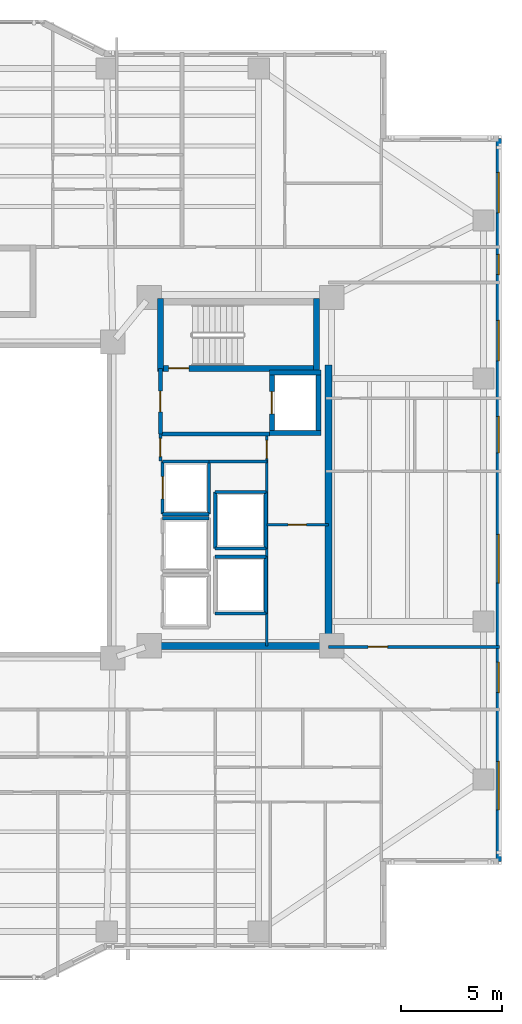
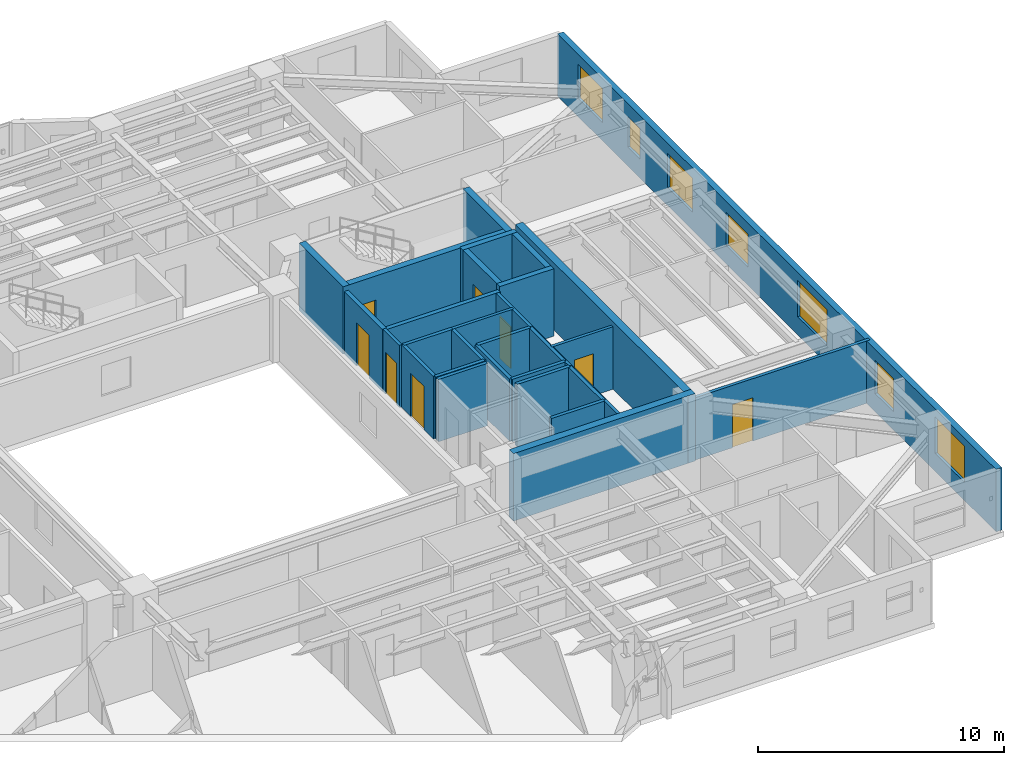
# One storey, part 9 of 19: 29 walls, 8 doors, 7 windows, 15 openings.
"""IFC4 building model written with IfcOpenShell, lengths in metres."""

from ifc_helpers import new_model, si_unit, direction, frame, frame_2d, origin, place, context, subcontext, project, spatial, rectangle, extrude, material, layer, layer_set, type_object, element, fill, save


model = new_model("IFC4")

# Units and contexts
model_context = context("Model", 3, precision=1e-05, world=origin(), true_north=direction((0.0, 1.0)))
body_context = subcontext(model_context, "Body", "Model", "MODEL_VIEW")
ifc_project = project(units=[si_unit("LENGTHUNIT", "METRE"), si_unit("AREAUNIT", "SQUARE_METRE"), si_unit("VOLUMEUNIT", "CUBIC_METRE"), si_unit("PLANEANGLEUNIT", "RADIAN"), si_unit("MASSUNIT", "GRAM", prefix="KILO")], contexts=[model_context])

# Site, building, storey
site_placement = place(None, origin())
site = spatial("IfcSite", under=ifc_project, at=site_placement, CompositionType="ELEMENT")
building_placement = place(site_placement, origin())
building = spatial("IfcBuilding", under=site, at=building_placement, Name="Tarnavaz Court Tower", CompositionType="ELEMENT")
storey_placement = place(building_placement, frame((0.0, 0.0, 111.800048828125)))
storey = spatial("IfcBuildingStorey", under=building, at=storey_placement, Name="L30", CompositionType="ELEMENT", Elevation=111.800048828125)

# Wall, opening, door
ifc_material_1 = material(Name="Concrete C60/75", Category="concrete")
ifc_layer_1 = layer(ifc_material_1, 0.25)
ifc_layer_set_1 = layer_set([ifc_layer_1], Name="Concrete C60/75")
wall_type_1 = type_object("IfcWallType", Name="WL-CORE-250-C60", PredefinedType="SHEAR", material=ifc_layer_set_1)
wall_1_placement = place(storey_placement, frame((15.64990234375, 3.175048828125, 0.0), z_axis=(0.0, 0.0, 1.0), x_axis=(0.0, 1.0, 0.0)))
wall_1 = element("IfcWall", 1, at=wall_1_placement, inside=storey, type_object=wall_type_1, Name="L30 Lift FL-E1 Shaft Wall 033", PredefinedType="SHEAR", context=body_context, shape_type="SweptSolid", body=[
    extrude(rectangle(XDim=3.25, YDim=0.25, at=frame_2d((1.625, 0.0))), origin(), (0.0, 0.0, 1.0), 3.349853515625),
])
opening_1_placement = place(wall_1_placement, frame((1.074951171875, 0.0, 0.0)))
opening_1 = element("IfcOpeningElement", 2, at=opening_1_placement, cuts=wall_1, Name="Opening LD1", PredefinedType="OPENING", context=body_context, shape_type="SweptSolid", body=[
    extrude(rectangle(XDim=1.10009765625, YDim=2.14990234375, at=frame_2d((0.550048828125, 1.074951171875))), frame((0.0, 0.135009765625, 0.0), z_axis=(0.0, -1.0, 0.0), x_axis=(1.0, 0.0, 0.0)), (0.0, 0.0, 1.0), 0.27001953125),
])
ifc_material_2 = material(Name="Stainless Steel", Category="steel")
door_type_1 = type_object("IfcDoorType", Name="DR-LD-1100", OperationType="NOTDEFINED", PredefinedType="DOOR", material=ifc_material_2)
door_1_placement = place(opening_1_placement, origin())
door_1 = element("IfcDoor", 3, at=door_1_placement, inside=storey, type_object=door_type_1, Name="L30 Lift Landing Door LD-FL-E1", OperationType="SLIDING_TO_LEFT", OverallHeight=2.14990234375, OverallWidth=1.10009765625, PredefinedType="DOOR", context=body_context, shape_type="SweptSolid", body=[
    extrude(rectangle(XDim=1.10009765625, YDim=2.14990234375, at=frame_2d((0.550048828125, 1.074951171875))), frame((0.0, 0.02490234375, 0.0), z_axis=(0.0, -1.0, 0.0), x_axis=(1.0, 0.0, 0.0)), (0.0, 0.0, 1.0), 0.050048828125),
])
fill(opening_1, door_1)

# Walls
wall_2_placement = place(storey_placement, frame((17.949951171875, 3.175048828125, 0.0), z_axis=(0.0, 0.0, 1.0), x_axis=(0.0, 1.0, 0.0)))
element("IfcWall", 4, at=wall_2_placement, inside=storey, type_object=wall_type_1, Name="L30 Lift FL-E1 Shaft Wall 034", PredefinedType="SHEAR", context=body_context, shape_type="SweptSolid", body=[
    extrude(rectangle(XDim=3.25, YDim=0.25, at=frame_2d((1.625, 0.0))), origin(), (0.0, 0.0, 1.0), 3.349853515625),
])
for number, where, z_axis, x_axis, name in (
    (5, (15.52490234375, 3.300048828125, 0.0), (0.0, 0.0, 1.0), (1.0, 0.0, 0.0), "L30 Lift FL-E1 Shaft Wall 035"),
    (6, (15.52490234375, 6.300048828125, 0.0), (0.0, 0.0, 1.0), (1.0, 0.0, 0.0), "L30 Lift FL-E1 Shaft Wall 036"),
):
    element("IfcWall", number, at=place(storey_placement, frame(where, z_axis=z_axis, x_axis=x_axis)), inside=storey, type_object=wall_type_1, Name=name, PredefinedType="SHEAR", context=body_context, shape_type="SweptSolid", body=[
        extrude(rectangle(XDim=2.550048828125, YDim=0.25, at=frame_2d((1.27490234375, 0.0))), origin(), (0.0, 0.0, 1.0), 3.349853515625),
    ])

# Wall, opening, door
ifc_layer_2 = layer(ifc_material_1, 0.300048828125)
ifc_layer_set_2 = layer_set([ifc_layer_2], Name="Concrete C60/75")
wall_type_2 = type_object("IfcWallType", Name="WL-CORE-300-C60", PredefinedType="SHEAR", material=ifc_layer_set_2)
wall_3_placement = place(storey_placement, frame((10.0, 6.5, 0.0), z_axis=(0.0, 0.0, 1.0), x_axis=(1.0, 0.0, 0.0)))
wall_3 = element("IfcWall", 7, at=wall_3_placement, inside=storey, type_object=wall_type_2, Name="L30 East Stair Core Wall 006", PredefinedType="SHEAR", context=body_context, shape_type="SweptSolid", body=[
    extrude(rectangle(XDim=8.0, YDim=0.300048828125, at=frame_2d((4.0, 0.0))), origin(), (0.0, 0.0, 1.0), 3.349853515625),
])
opening_2_placement = place(wall_3_placement, frame((0.550048828125, 0.0, 0.0)))
opening_2 = element("IfcOpeningElement", 8, at=opening_2_placement, cuts=wall_3, Name="Opening D01", PredefinedType="OPENING", context=body_context, shape_type="SweptSolid", body=[
    extrude(rectangle(XDim=1.0, YDim=2.14990234375, at=frame_2d((0.5, 1.074951171875))), frame((0.0, 0.159912109375, 0.0), z_axis=(0.0, -1.0, 0.0), x_axis=(1.0, 0.0, 0.0)), (0.0, 0.0, 1.0), 0.320068359375),
])
ifc_material_3 = material(Name="Fire-Rated Hardwood Timber Core", Category="wood")
door_type_2 = type_object("IfcDoorType", Name="DR-FD90-1000", OperationType="NOTDEFINED", PredefinedType="DOOR", material=ifc_material_3)
door_2_placement = place(opening_2_placement, origin())
door_2 = element("IfcDoor", 9, at=door_2_placement, inside=storey, type_object=door_type_2, Name="L30 Stair ST-E1 Exit Door", OperationType="SINGLE_SWING_RIGHT", OverallHeight=2.14990234375, OverallWidth=1.0, PredefinedType="DOOR", context=body_context, shape_type="SweptSolid", body=[
    extrude(rectangle(XDim=1.0, YDim=2.14990234375, at=frame_2d((0.5, 1.074951171875))), frame((0.0, 0.02490234375, 0.0), z_axis=(0.0, -1.0, 0.0), x_axis=(1.0, 0.0, 0.0)), (0.0, 0.0, 1.0), 0.050048828125),
])
fill(opening_2, door_2)

# Walls
for number, where, z_axis, x_axis, name in (
    (10, (10.14990234375, 6.35009765625, 0.0), (0.0, 0.0, 1.0), (0.0, 1.0, 0.0), "L30 East Stair Core Wall 007"),
    (11, (17.85009765625, 6.35009765625, 0.0), (0.0, 0.0, 1.0), (0.0, 1.0, 0.0), "L30 East Stair Core Wall 008"),
):
    element("IfcWall", number, at=place(storey_placement, frame(where, z_axis=z_axis, x_axis=x_axis)), inside=storey, type_object=wall_type_2, Name=name, PredefinedType="SHEAR", context=body_context, shape_type="SweptSolid", body=[
        extrude(rectangle(XDim=3.58984375, YDim=0.300048828125, at=frame_2d((1.794921875, 0.0))), origin(), (0.0, 0.0, 1.0), 3.349853515625),
    ])
ifc_layer_3 = layer(ifc_material_1, 0.35009765625)
ifc_layer_set_3 = layer_set([ifc_layer_3], Name="Concrete C60/75")
wall_type_3 = type_object("IfcWallType", Name="WL-CORE-350-C60", PredefinedType="SHEAR", material=ifc_layer_set_3)
wall_4_placement = place(storey_placement, frame((18.449951171875, -7.375, 0.0), z_axis=(0.0, 0.0, 1.0), x_axis=(0.0, 1.0, 0.0)))
element("IfcWall", 12, at=wall_4_placement, inside=storey, type_object=wall_type_3, Name="L30 East Core Shear Wall 059", PredefinedType="SHEAR", context=body_context, shape_type="SweptSolid", body=[
    extrude(rectangle(XDim=14.050048828125, YDim=0.35009765625, at=frame_2d((7.02490234375, 0.0))), origin(), (0.0, 0.0, 1.0), 3.349853515625),
])
wall_5_placement = place(storey_placement, frame((10.074951171875, -7.199951171875, 0.0), z_axis=(0.0, 0.0, 1.0), x_axis=(1.0, 0.0, 0.0)))
element("IfcWall", 13, at=wall_5_placement, inside=storey, type_object=wall_type_3, Name="L30 East Core South Shear Wall 060", PredefinedType="SHEAR", context=body_context, shape_type="SweptSolid", body=[
    extrude(rectangle(XDim=8.550048828125, YDim=0.35009765625, at=frame_2d((4.27490234375, 0.0))), origin(), (0.0, 0.0, 1.0), 3.349853515625),
])

# Wall, openings, windows
ifc_material_4 = material(Name="Precast Concrete C40/50", Category="concrete")
ifc_layer_4 = layer(ifc_material_4, 0.280029296875)
ifc_layer_set_4 = layer_set([ifc_layer_4], Name="Precast Concrete C40/50")
wall_type_4 = type_object("IfcWallType", Name="WL-EXT-280", PredefinedType="SOLIDWALL", material=ifc_layer_set_4)
wall_6_placement = place(storey_placement, frame((26.85009765625, 17.85009765625, 0.0), z_axis=(0.0, 0.0, 1.0), x_axis=(0.0, -1.0, 0.0)))
wall_6 = element("IfcWall", 14, at=wall_6_placement, inside=storey, type_object=wall_type_4, Name="L30 Exterior Terracotta Facade Wall 12", PredefinedType="SOLIDWALL", context=body_context, shape_type="SweptSolid", body=[
    extrude(rectangle(XDim=35.7001953125, YDim=0.280029296875, at=frame_2d((17.85009765625, 0.0))), origin(), (0.0, 0.0, 1.0), 3.099853515625),
])
opening_3_placement = place(wall_6_placement, frame((1.675048828125, 0.0, 0.89990234375)))
opening_3 = element("IfcOpeningElement", 15, at=opening_3_placement, cuts=wall_6, Name="Opening W08", PredefinedType="OPENING", context=body_context, shape_type="SweptSolid", body=[
    extrude(rectangle(XDim=2.0, YDim=1.699951171875, at=frame_2d((1.0, 0.85009765625))), frame((0.0, 0.14990234375, 0.0), z_axis=(0.0, -1.0, 0.0), x_axis=(1.0, 0.0, 0.0)), (0.0, 0.0, 1.0), 0.300048828125),
])
opening_4_placement = place(wall_6_placement, frame((5.72509765625, 0.0, 0.949951171875)))
opening_4 = element("IfcOpeningElement", 16, at=opening_4_placement, cuts=wall_6, Name="Opening W14", PredefinedType="OPENING", context=body_context, shape_type="SweptSolid", body=[
    extrude(rectangle(XDim=1.0, YDim=1.5, at=frame_2d((0.5, 0.75))), frame((0.0, 0.14990234375, 0.0), z_axis=(0.0, -1.0, 0.0), x_axis=(1.0, 0.0, 0.0)), (0.0, 0.0, 1.0), 0.300048828125),
])
opening_5_placement = place(wall_6_placement, frame((8.97509765625, 0.0, 0.89990234375)))
opening_5 = element("IfcOpeningElement", 17, at=opening_5_placement, cuts=wall_6, Name="Opening W08", PredefinedType="OPENING", context=body_context, shape_type="SweptSolid", body=[
    extrude(rectangle(XDim=2.0, YDim=1.699951171875, at=frame_2d((1.0, 0.85009765625))), frame((0.0, 0.14990234375, 0.0), z_axis=(0.0, -1.0, 0.0), x_axis=(1.0, 0.0, 0.0)), (0.0, 0.0, 1.0), 0.300048828125),
])
opening_6_placement = place(wall_6_placement, frame((13.72509765625, 0.0, 0.89990234375)))
opening_6 = element("IfcOpeningElement", 18, at=opening_6_placement, cuts=wall_6, Name="Opening W01", PredefinedType="OPENING", context=body_context, shape_type="SweptSolid", body=[
    extrude(rectangle(XDim=1.800048828125, YDim=1.64990234375, at=frame_2d((0.89990234375, 0.824951171875))), frame((0.0, 0.14990234375, 0.0), z_axis=(0.0, -1.0, 0.0), x_axis=(1.0, 0.0, 0.0)), (0.0, 0.0, 1.0), 0.300048828125),
])
opening_7_placement = place(wall_6_placement, frame((19.550048828125, 0.0, 0.89990234375)))
opening_7 = element("IfcOpeningElement", 19, at=opening_7_placement, cuts=wall_6, Name="Opening W06", PredefinedType="OPENING", context=body_context, shape_type="SweptSolid", body=[
    extrude(rectangle(XDim=2.39990234375, YDim=1.800048828125, at=frame_2d((1.199951171875, 0.89990234375))), frame((0.0, 0.14990234375, 0.0), z_axis=(0.0, -1.0, 0.0), x_axis=(1.0, 0.0, 0.0)), (0.0, 0.0, 1.0), 0.300048828125),
])
opening_8_placement = place(wall_6_placement, frame((25.857421875, 0.0, 0.89990234375)))
opening_8 = element("IfcOpeningElement", 20, at=opening_8_placement, cuts=wall_6, Name="Opening W03", PredefinedType="OPENING", context=body_context, shape_type="SweptSolid", body=[
    extrude(rectangle(XDim=1.5, YDim=1.64990234375, at=frame_2d((0.75, 0.824951171875))), frame((0.0, 0.14990234375, 0.0), z_axis=(0.0, -1.0, 0.0), x_axis=(1.0, 0.0, 0.0)), (0.0, 0.0, 1.0), 0.300048828125),
])
opening_9_placement = place(wall_6_placement, frame((30.75, 0.0, 0.89990234375)))
opening_9 = element("IfcOpeningElement", 21, at=opening_9_placement, cuts=wall_6, Name="Opening W06", PredefinedType="OPENING", context=body_context, shape_type="SweptSolid", body=[
    extrude(rectangle(XDim=2.39990234375, YDim=1.800048828125, at=frame_2d((1.199951171875, 0.89990234375))), frame((0.0, 0.14990234375, 0.0), z_axis=(0.0, -1.0, 0.0), x_axis=(1.0, 0.0, 0.0)), (0.0, 0.0, 1.0), 0.300048828125),
])
ifc_material_5 = material(Name="Double-Glazed Solar Low-E Glass", Category="glass")
window_type_1 = type_object("IfcWindowType", Name="WN-APT-1000", PartitioningType="SINGLE_PANEL", PredefinedType="WINDOW", material=ifc_material_5)
window_1_placement = place(opening_4_placement, origin())
window_1 = element("IfcWindow", 22, at=window_1_placement, inside=storey, type_object=window_type_1, Name="L30 North-East Corner Corridor Window", OverallHeight=1.5, OverallWidth=1.0, PartitioningType="SINGLE_PANEL", PredefinedType="WINDOW", context=body_context, shape_type="SweptSolid", body=[
    extrude(rectangle(XDim=1.0, YDim=1.5, at=frame_2d((0.5, 0.75))), frame((0.0, 0.030029296875, 0.0), z_axis=(0.0, -1.0, 0.0), x_axis=(1.0, 0.0, 0.0)), (0.0, 0.0, 1.0), 0.06005859375),
])
fill(opening_4, window_1)
window_type_2 = type_object("IfcWindowType", Name="WN-APT-1500", PartitioningType="DOUBLE_PANEL_VERTICAL", PredefinedType="WINDOW", material=ifc_material_5)
window_2_placement = place(opening_8_placement, origin())
window_2 = element("IfcWindow", 23, at=window_2_placement, inside=storey, type_object=window_type_2, Name="L30 South-East Corner Corridor Window", OverallHeight=1.64990234375, OverallWidth=1.5, PartitioningType="SINGLE_PANEL", PredefinedType="WINDOW", context=body_context, shape_type="SweptSolid", body=[
    extrude(rectangle(XDim=1.5, YDim=1.64990234375, at=frame_2d((0.75, 0.824951171875))), frame((0.0, 0.030029296875, 0.0), z_axis=(0.0, -1.0, 0.0), x_axis=(1.0, 0.0, 0.0)), (0.0, 0.0, 1.0), 0.06005859375),
])
fill(opening_8, window_2)
window_type_3 = type_object("IfcWindowType", Name="WN-APT-1800", PartitioningType="DOUBLE_PANEL_VERTICAL", PredefinedType="WINDOW", material=ifc_material_5)
window_3_placement = place(opening_6_placement, origin())
window_3 = element("IfcWindow", 24, at=window_3_placement, inside=storey, type_object=window_type_3, Name="L30 Flat 10 Bathroom Window", OverallHeight=1.64990234375, OverallWidth=1.800048828125, PartitioningType="SINGLE_PANEL", PredefinedType="WINDOW", context=body_context, shape_type="SweptSolid", body=[
    extrude(rectangle(XDim=1.800048828125, YDim=1.64990234375, at=frame_2d((0.89990234375, 0.824951171875))), frame((0.0, 0.030029296875, 0.0), z_axis=(0.0, -1.0, 0.0), x_axis=(1.0, 0.0, 0.0)), (0.0, 0.0, 1.0), 0.06005859375),
])
fill(opening_6, window_3)
window_type_4 = type_object("IfcWindowType", Name="WN-APT-2000", PartitioningType="DOUBLE_PANEL_VERTICAL", PredefinedType="WINDOW", material=ifc_material_5)
window_4_placement = place(opening_3_placement, origin())
window_4 = element("IfcWindow", 25, at=window_4_placement, inside=storey, type_object=window_type_4, Name="L30 North-East Corner Sunroom Study Window", OverallHeight=1.699951171875, OverallWidth=2.0, PartitioningType="SINGLE_PANEL", PredefinedType="WINDOW", context=body_context, shape_type="SweptSolid", body=[
    extrude(rectangle(XDim=2.0, YDim=1.699951171875, at=frame_2d((1.0, 0.85009765625))), frame((0.0, 0.030029296875, 0.0), z_axis=(0.0, -1.0, 0.0), x_axis=(1.0, 0.0, 0.0)), (0.0, 0.0, 1.0), 0.06005859375),
])
fill(opening_3, window_4)
window_5_placement = place(opening_5_placement, origin())
window_5 = element("IfcWindow", 26, at=window_5_placement, inside=storey, type_object=window_type_4, Name="L30 Flat 10 Study Room Window", OverallHeight=1.699951171875, OverallWidth=2.0, PartitioningType="SINGLE_PANEL", PredefinedType="WINDOW", context=body_context, shape_type="SweptSolid", body=[
    extrude(rectangle(XDim=2.0, YDim=1.699951171875, at=frame_2d((1.0, 0.85009765625))), frame((0.0, 0.030029296875, 0.0), z_axis=(0.0, -1.0, 0.0), x_axis=(1.0, 0.0, 0.0)), (0.0, 0.0, 1.0), 0.06005859375),
])
fill(opening_5, window_5)
window_type_5 = type_object("IfcWindowType", Name="WN-APT-2400", PartitioningType="TRIPLE_PANEL_VERTICAL", PredefinedType="WINDOW", material=ifc_material_5)
window_6_placement = place(opening_7_placement, origin())
window_6 = element("IfcWindow", 27, at=window_6_placement, inside=storey, type_object=window_type_5, Name="L30 Flat 10 Studio Living and Sleeping Room Window", OverallHeight=1.800048828125, OverallWidth=2.39990234375, PartitioningType="SINGLE_PANEL", PredefinedType="WINDOW", context=body_context, shape_type="SweptSolid", body=[
    extrude(rectangle(XDim=2.39990234375, YDim=1.800048828125, at=frame_2d((1.199951171875, 0.89990234375))), frame((0.0, 0.030029296875, 0.0), z_axis=(0.0, -1.0, 0.0), x_axis=(1.0, 0.0, 0.0)), (0.0, 0.0, 1.0), 0.06005859375),
])
fill(opening_7, window_6)
window_7_placement = place(opening_9_placement, origin())
window_7 = element("IfcWindow", 28, at=window_7_placement, inside=storey, type_object=window_type_5, Name="L30 South-East Corner Reading Room Window", OverallHeight=1.800048828125, OverallWidth=2.39990234375, PartitioningType="SINGLE_PANEL", PredefinedType="WINDOW", context=body_context, shape_type="SweptSolid", body=[
    extrude(rectangle(XDim=2.39990234375, YDim=1.800048828125, at=frame_2d((1.199951171875, 0.89990234375))), frame((0.0, 0.030029296875, 0.0), z_axis=(0.0, -1.0, 0.0), x_axis=(1.0, 0.0, 0.0)), (0.0, 0.0, 1.0), 0.06005859375),
])
fill(opening_9, window_7)

# Wall, opening, door
ifc_material_6 = material(Name="Gypsum Fire-Board on Acoustic Metal Stud", Category="masonry")
ifc_layer_5 = layer(ifc_material_6, 0.14990234375)
ifc_layer_set_5 = layer_set([ifc_layer_5], Name="Gypsum Fire-Board on Acoustic Metal Stud")
wall_type_5 = type_object("IfcWallType", Name="WL-FIRE-150", PredefinedType="PARTITIONING", material=ifc_layer_set_5)
wall_7_placement = place(storey_placement, frame((18.449951171875, -7.25, 0.0), z_axis=(0.0, 0.0, 1.0), x_axis=(1.0, 0.0, 0.0)))
wall_7 = element("IfcWall", 29, at=wall_7_placement, inside=storey, type_object=wall_type_5, Name="L30 Interior Partition 124", PredefinedType="PARTITIONING", context=body_context, shape_type="SweptSolid", body=[
    extrude(rectangle(XDim=8.429931640625, YDim=0.14990234375, at=frame_2d((4.21484375, 0.0))), origin(), (0.0, 0.0, 1.0), 3.099853515625),
])
opening_10_placement = place(wall_7_placement, frame((1.949951171875, 0.0, 0.0)))
opening_10 = element("IfcOpeningElement", 30, at=opening_10_placement, cuts=wall_7, Name="Opening D06", PredefinedType="OPENING", context=body_context, shape_type="SweptSolid", body=[
    extrude(rectangle(XDim=0.9599609375, YDim=2.14990234375, at=frame_2d((0.47998046875, 1.074951171875))), frame((0.0, 0.0849609375, 0.0), z_axis=(0.0, -1.0, 0.0), x_axis=(1.0, 0.0, 0.0)), (0.0, 0.0, 1.0), 0.169921875),
])
door_type_3 = type_object("IfcDoorType", Name="DR-FD60-950", OperationType="NOTDEFINED", PredefinedType="DOOR", material=ifc_material_3)
door_3_placement = place(opening_10_placement, origin())
door_3 = element("IfcDoor", 31, at=door_3_placement, inside=storey, type_object=door_type_3, Name="L30 Flat 10 Entrance Door", OperationType="SINGLE_SWING_LEFT", OverallHeight=2.14990234375, OverallWidth=0.9599609375, PredefinedType="DOOR", context=body_context, shape_type="SweptSolid", body=[
    extrude(rectangle(XDim=0.9599609375, YDim=2.14990234375, at=frame_2d((0.47998046875, 1.074951171875))), frame((0.0, 0.02490234375, 0.0), z_axis=(0.0, -1.0, 0.0), x_axis=(1.0, 0.0, 0.0)), (0.0, 0.0, 1.0), 0.050048828125),
])
fill(opening_10, door_3)

# Wall
ifc_material_7 = material(Name="Autoclaved Aerated Concrete Blockwork", Category="masonry")
ifc_layer_6 = layer(ifc_material_7, 0.199951171875)
ifc_layer_set_6 = layer_set([ifc_layer_6], Name="Autoclaved Aerated Concrete Blockwork")
wall_type_6 = type_object("IfcWallType", Name="WL-FIRE-200", PredefinedType="SOLIDWALL", material=ifc_layer_set_6)
wall_8_placement = place(storey_placement, frame((10.14990234375, 3.25, 0.0), z_axis=(0.0, 0.0, 1.0), x_axis=(1.0, 0.0, 0.0)))
element("IfcWall", 32, at=wall_8_placement, inside=storey, type_object=wall_type_6, Name="L30 East Firefighting Lobby Wall 015", PredefinedType="SOLIDWALL", context=body_context, shape_type="SweptSolid", body=[
    extrude(rectangle(XDim=5.400146484375, YDim=0.199951171875, at=frame_2d((2.7001953125, 0.0))), origin(), (0.0, 0.0, 1.0), 3.099853515625),
])

# Wall, opening, door
wall_9_placement = place(storey_placement, frame((10.14990234375, 3.25, 0.0), z_axis=(0.0, 0.0, 1.0), x_axis=(0.0, 1.0, 0.0)))
wall_9 = element("IfcWall", 33, at=wall_9_placement, inside=storey, type_object=wall_type_6, Name="L30 East Firefighting Lobby Wall 016", PredefinedType="SOLIDWALL", context=body_context, shape_type="SweptSolid", body=[
    extrude(rectangle(XDim=3.25, YDim=0.199951171875, at=frame_2d((1.625, 0.0))), origin(), (0.0, 0.0, 1.0), 3.099853515625),
])
opening_11_placement = place(wall_9_placement, frame((1.10009765625, 0.0, 0.0)))
opening_11 = element("IfcOpeningElement", 34, at=opening_11_placement, cuts=wall_9, Name="Opening D05", PredefinedType="OPENING", context=body_context, shape_type="SweptSolid", body=[
    extrude(rectangle(XDim=1.02001953125, YDim=2.14990234375, at=frame_2d((0.510009765625, 1.074951171875))), frame((0.0, 0.10986328125, 0.0), z_axis=(0.0, -1.0, 0.0), x_axis=(1.0, 0.0, 0.0)), (0.0, 0.0, 1.0), 0.219970703125),
])
door_type_4 = type_object("IfcDoorType", Name="DR-FD60-1000", OperationType="NOTDEFINED", PredefinedType="DOOR", material=ifc_material_3)
door_4_placement = place(opening_11_placement, origin())
door_4 = element("IfcDoor", 35, at=door_4_placement, inside=storey, type_object=door_type_4, Name="L30 East Firefighting Lobby Door", OperationType="SINGLE_SWING_LEFT", OverallHeight=2.14990234375, OverallWidth=1.02001953125, PredefinedType="DOOR", context=body_context, shape_type="SweptSolid", body=[
    extrude(rectangle(XDim=1.02001953125, YDim=2.14990234375, at=frame_2d((0.510009765625, 1.074951171875))), frame((0.0, 0.02490234375, 0.0), z_axis=(0.0, -1.0, 0.0), x_axis=(1.0, 0.0, 0.0)), (0.0, 0.0, 1.0), 0.050048828125),
])
fill(opening_11, door_4)

# Wall
ifc_material_8 = material(Name="Gypsum Plasterboard Acoustic Partition", Category="masonry")
ifc_layer_7 = layer(ifc_material_8, 0.139892578125)
ifc_layer_set_7 = layer_set([ifc_layer_7], Name="Gypsum Plasterboard Acoustic Partition")
wall_type_7 = type_object("IfcWallType", Name="WL-PART-150", PredefinedType="PARTITIONING", material=ifc_layer_set_7)
wall_10_placement = place(storey_placement, frame((12.550048828125, 1.89990234375, 0.0), z_axis=(0.0, 0.0, 1.0), x_axis=(1.0, 0.0, 0.0)))
element("IfcWall", 36, at=wall_10_placement, inside=storey, type_object=wall_type_7, Name="L30 Interior Partition 067", PredefinedType="PARTITIONING", context=body_context, shape_type="SweptSolid", body=[
    extrude(rectangle(XDim=2.849853515625, YDim=0.139892578125, at=frame_2d((1.4248046875, 0.0))), origin(), (0.0, 0.0, 1.0), 3.099853515625),
])

# Wall, opening, door
wall_11_placement = place(storey_placement, frame((10.14990234375, 1.919921875, 0.0), z_axis=(0.0, 0.0, 1.0), x_axis=(0.0, 1.0, 0.0)))
wall_11 = element("IfcWall", 37, at=wall_11_placement, inside=storey, type_object=wall_type_7, Name="L30 Interior Partition 068", PredefinedType="PARTITIONING", context=body_context, shape_type="SweptSolid", body=[
    extrude(rectangle(XDim=1.330078125, YDim=0.139892578125, at=frame_2d((0.6650390625, 0.0))), origin(), (0.0, 0.0, 1.0), 3.099853515625),
])
opening_12_placement = place(wall_11_placement, frame((0.219970703125, 0.0, 0.0)))
opening_12 = element("IfcOpeningElement", 38, at=opening_12_placement, cuts=wall_11, Name="Opening D09", PredefinedType="OPENING", context=body_context, shape_type="SweptSolid", body=[
    extrude(rectangle(XDim=0.89990234375, YDim=2.080078125, at=frame_2d((0.449951171875, 1.0400390625))), frame((0.0, 0.079833984375, 0.0), z_axis=(0.0, -1.0, 0.0), x_axis=(1.0, 0.0, 0.0)), (0.0, 0.0, 1.0), 0.159912109375),
])
door_type_5 = type_object("IfcDoorType", Name="DR-FD30-900", OperationType="NOTDEFINED", PredefinedType="DOOR", material=ifc_material_3)
door_5_placement = place(opening_12_placement, origin())
door_5 = element("IfcDoor", 39, at=door_5_placement, inside=storey, type_object=door_type_5, Name="L30 East Core Service Lobby Door", OperationType="SINGLE_SWING_RIGHT", OverallHeight=2.080078125, OverallWidth=0.89990234375, PredefinedType="DOOR", context=body_context, shape_type="SweptSolid", body=[
    extrude(rectangle(XDim=0.89990234375, YDim=2.080078125, at=frame_2d((0.449951171875, 1.0400390625))), frame((0.0, 0.02490234375, 0.0), z_axis=(0.0, -1.0, 0.0), x_axis=(1.0, 0.0, 0.0)), (0.0, 0.0, 1.0), 0.050048828125),
])
fill(opening_12, door_5)

wall_12_placement = place(storey_placement, frame((15.39990234375, -7.199951171875, 0.0), z_axis=(0.0, 0.0, 1.0), x_axis=(0.0, 1.0, 0.0)))
wall_12 = element("IfcWall", 40, at=wall_12_placement, inside=storey, type_object=wall_type_7, Name="L30 Interior Partition 069", PredefinedType="PARTITIONING", context=body_context, shape_type="SweptSolid", body=[
    extrude(rectangle(XDim=10.449951171875, YDim=0.139892578125, at=frame_2d((5.22509765625, 0.0))), origin(), (0.0, 0.0, 1.0), 3.099853515625),
])
opening_13_placement = place(wall_12_placement, frame((9.25, 0.0, 0.0)))
opening_13 = element("IfcOpeningElement", 41, at=opening_13_placement, cuts=wall_12, Name="Opening D09", PredefinedType="OPENING", context=body_context, shape_type="SweptSolid", body=[
    extrude(rectangle(XDim=0.89990234375, YDim=2.080078125, at=frame_2d((0.449951171875, 1.0400390625))), frame((0.0, 0.079833984375, 0.0), z_axis=(0.0, -1.0, 0.0), x_axis=(1.0, 0.0, 0.0)), (0.0, 0.0, 1.0), 0.159912109375),
])
door_6_placement = place(opening_13_placement, origin())
door_6 = element("IfcDoor", 42, at=door_6_placement, inside=storey, type_object=door_type_5, Name="L30 East Wet Riser Door", OperationType="SINGLE_SWING_LEFT", OverallHeight=2.080078125, OverallWidth=0.89990234375, PredefinedType="DOOR", context=body_context, shape_type="SweptSolid", body=[
    extrude(rectangle(XDim=0.89990234375, YDim=2.080078125, at=frame_2d((0.449951171875, 1.0400390625))), frame((0.0, 0.02490234375, 0.0), z_axis=(0.0, -1.0, 0.0), x_axis=(1.0, 0.0, 0.0)), (0.0, 0.0, 1.0), 0.050048828125),
])
fill(opening_13, door_6)

wall_13_placement = place(storey_placement, frame((15.39990234375, -1.219970703125, 0.0), z_axis=(0.0, 0.0, 1.0), x_axis=(1.0, 0.0, 0.0)))
wall_13 = element("IfcWall", 43, at=wall_13_placement, inside=storey, type_object=wall_type_7, Name="L30 Interior Partition 070", PredefinedType="PARTITIONING", context=body_context, shape_type="SweptSolid", body=[
    extrude(rectangle(XDim=3.050048828125, YDim=0.139892578125, at=frame_2d((1.52490234375, 0.0))), origin(), (0.0, 0.0, 1.0), 3.099853515625),
])
opening_14_placement = place(wall_13_placement, frame((1.050048828125, 0.0, 0.0)))
opening_14 = element("IfcOpeningElement", 44, at=opening_14_placement, cuts=wall_13, Name="Opening D09", PredefinedType="OPENING", context=body_context, shape_type="SweptSolid", body=[
    extrude(rectangle(XDim=0.89990234375, YDim=2.080078125, at=frame_2d((0.449951171875, 1.0400390625))), frame((0.0, 0.079833984375, 0.0), z_axis=(0.0, -1.0, 0.0), x_axis=(1.0, 0.0, 0.0)), (0.0, 0.0, 1.0), 0.159912109375),
])
door_7_placement = place(opening_14_placement, origin())
door_7 = element("IfcDoor", 45, at=door_7_placement, inside=storey, type_object=door_type_5, Name="L30 East Electrical Plant Door", OperationType="SINGLE_SWING_RIGHT", OverallHeight=2.080078125, OverallWidth=0.89990234375, PredefinedType="DOOR", context=body_context, shape_type="SweptSolid", body=[
    extrude(rectangle(XDim=0.89990234375, YDim=2.080078125, at=frame_2d((0.449951171875, 1.0400390625))), frame((0.0, 0.02490234375, 0.0), z_axis=(0.0, -1.0, 0.0), x_axis=(1.0, 0.0, 0.0)), (0.0, 0.0, 1.0), 0.050048828125),
])
fill(opening_14, door_7)

# Wall
ifc_layer_8 = layer(ifc_material_7, 0.159912109375)
ifc_layer_set_8 = layer_set([ifc_layer_8], Name="Autoclaved Aerated Concrete Blockwork")
wall_type_8 = type_object("IfcWallType", Name="WL-SHAFT-150", PredefinedType="SOLIDWALL", material=ifc_layer_set_8)
wall_14_placement = place(storey_placement, frame((10.25, -0.89990234375, 0.0), z_axis=(0.0, 0.0, 1.0), x_axis=(1.0, 0.0, 0.0)))
element("IfcWall", 46, at=wall_14_placement, inside=storey, type_object=wall_type_8, Name="L30 Lift PL-M2 Shaft Wall 044", PredefinedType="SOLIDWALL", context=body_context, shape_type="SweptSolid", body=[
    extrude(rectangle(XDim=2.300048828125, YDim=0.159912109375, at=frame_2d((1.14990234375, 0.0))), origin(), (0.0, 0.0, 1.0), 3.099853515625),
])

# Wall, opening, door
wall_15_placement = place(storey_placement, frame((10.25, -0.699951171875, 0.0), z_axis=(0.0, 0.0, 1.0), x_axis=(0.0, 1.0, 0.0)))
wall_15 = element("IfcWall", 47, at=wall_15_placement, inside=storey, type_object=wall_type_8, Name="L30 Lift PL-M3 Shaft Wall 045", PredefinedType="SOLIDWALL", context=body_context, shape_type="SweptSolid", body=[
    extrude(rectangle(XDim=2.599853515625, YDim=0.159912109375, at=frame_2d((1.2998046875, 0.0))), origin(), (0.0, 0.0, 1.0), 3.099853515625),
])
opening_15_placement = place(wall_15_placement, frame((0.75, 0.0, 0.0)))
opening_15 = element("IfcOpeningElement", 48, at=opening_15_placement, cuts=wall_15, Name="Opening LD1", PredefinedType="OPENING", context=body_context, shape_type="SweptSolid", body=[
    extrude(rectangle(XDim=1.10009765625, YDim=2.14990234375, at=frame_2d((0.550048828125, 1.074951171875))), frame((0.0, 0.08984375, 0.0), z_axis=(0.0, -1.0, 0.0), x_axis=(1.0, 0.0, 0.0)), (0.0, 0.0, 1.0), 0.179931640625),
])
door_8_placement = place(opening_15_placement, origin())
door_8 = element("IfcDoor", 49, at=door_8_placement, inside=storey, type_object=door_type_1, Name="L30 Lift Landing Door LD-PL-M3", OperationType="SLIDING_TO_LEFT", OverallHeight=2.14990234375, OverallWidth=1.10009765625, PredefinedType="DOOR", context=body_context, shape_type="SweptSolid", body=[
    extrude(rectangle(XDim=1.10009765625, YDim=2.14990234375, at=frame_2d((0.550048828125, 1.074951171875))), frame((0.0, 0.02490234375, 0.0), z_axis=(0.0, -1.0, 0.0), x_axis=(1.0, 0.0, 0.0)), (0.0, 0.0, 1.0), 0.050048828125),
])
fill(opening_15, door_8)

# Walls
wall_16_placement = place(storey_placement, frame((12.550048828125, -0.699951171875, 0.0), z_axis=(0.0, 0.0, 1.0), x_axis=(0.0, 1.0, 0.0)))
element("IfcWall", 50, at=wall_16_placement, inside=storey, type_object=wall_type_8, Name="L30 Lift PL-M3 Shaft Wall 046", PredefinedType="SOLIDWALL", context=body_context, shape_type="SweptSolid", body=[
    extrude(rectangle(XDim=2.599853515625, YDim=0.159912109375, at=frame_2d((1.2998046875, 0.0))), origin(), (0.0, 0.0, 1.0), 3.099853515625),
])
for number, where, z_axis, x_axis, name in (
    (51, (10.25, -0.699951171875, 0.0), (0.0, 0.0, 1.0), (1.0, 0.0, 0.0), "L30 Lift PL-M3 Shaft Wall 047"),
    (52, (10.25, 1.89990234375, 0.0), (0.0, 0.0, 1.0), (1.0, 0.0, 0.0), "L30 Lift PL-M3 Shaft Wall 048"),
):
    element("IfcWall", number, at=place(storey_placement, frame(where, z_axis=z_axis, x_axis=x_axis)), inside=storey, type_object=wall_type_8, Name=name, PredefinedType="SOLIDWALL", context=body_context, shape_type="SweptSolid", body=[
        extrude(rectangle(XDim=2.300048828125, YDim=0.159912109375, at=frame_2d((1.14990234375, 0.0))), origin(), (0.0, 0.0, 1.0), 3.099853515625),
    ])
wall_17_placement = place(storey_placement, frame((15.35009765625, -5.60009765625, 0.0), z_axis=(0.0, 0.0, 1.0), x_axis=(0.0, 1.0, 0.0)))
element("IfcWall", 53, at=wall_17_placement, inside=storey, type_object=wall_type_8, Name="L30 Lift PL-OB1 Shaft Wall 050", PredefinedType="SOLIDWALL", context=body_context, shape_type="SweptSolid", body=[
    extrude(rectangle(XDim=2.800048828125, YDim=0.159912109375, at=frame_2d((1.39990234375, 0.0))), origin(), (0.0, 0.0, 1.0), 3.099853515625),
])
for number, where, z_axis, x_axis, name in (
    (54, (12.85009765625, -5.60009765625, 0.0), (0.0, 0.0, 1.0), (1.0, 0.0, 0.0), "L30 Lift PL-OB1 Shaft Wall 051"),
    (55, (12.85009765625, -2.800048828125, 0.0), (0.0, 0.0, 1.0), (1.0, 0.0, 0.0), "L30 Lift PL-OB1 Shaft Wall 052"),
):
    element("IfcWall", number, at=place(storey_placement, frame(where, z_axis=z_axis, x_axis=x_axis)), inside=storey, type_object=wall_type_8, Name=name, PredefinedType="SOLIDWALL", context=body_context, shape_type="SweptSolid", body=[
        extrude(rectangle(XDim=2.5, YDim=0.159912109375, at=frame_2d((1.25, 0.0))), origin(), (0.0, 0.0, 1.0), 3.099853515625),
    ])
for number, where, z_axis, x_axis, name in (
    (56, (12.85009765625, -2.39990234375, 0.0), (0.0, 0.0, 1.0), (0.0, 1.0, 0.0), "L30 Lift PL-OB2 Shaft Wall 053"),
    (57, (15.35009765625, -2.39990234375, 0.0), (0.0, 0.0, 1.0), (0.0, 1.0, 0.0), "L30 Lift PL-OB2 Shaft Wall 054"),
):
    element("IfcWall", number, at=place(storey_placement, frame(where, z_axis=z_axis, x_axis=x_axis)), inside=storey, type_object=wall_type_8, Name=name, PredefinedType="SOLIDWALL", context=body_context, shape_type="SweptSolid", body=[
        extrude(rectangle(XDim=2.7998046875, YDim=0.159912109375, at=frame_2d((1.39990234375, 0.0))), origin(), (0.0, 0.0, 1.0), 3.099853515625),
    ])
for number, where, z_axis, x_axis, name in (
    (58, (12.85009765625, -2.39990234375, 0.0), (0.0, 0.0, 1.0), (1.0, 0.0, 0.0), "L30 Lift PL-OB2 Shaft Wall 055"),
    (59, (12.85009765625, 0.39990234375, 0.0), (0.0, 0.0, 1.0), (1.0, 0.0, 0.0), "L30 Lift PL-OB2 Shaft Wall 056"),
):
    element("IfcWall", number, at=place(storey_placement, frame(where, z_axis=z_axis, x_axis=x_axis)), inside=storey, type_object=wall_type_8, Name=name, PredefinedType="SOLIDWALL", context=body_context, shape_type="SweptSolid", body=[
        extrude(rectangle(XDim=2.5, YDim=0.159912109375, at=frame_2d((1.25, 0.0))), origin(), (0.0, 0.0, 1.0), 3.099853515625),
    ])

save(model, "model.ifc")
